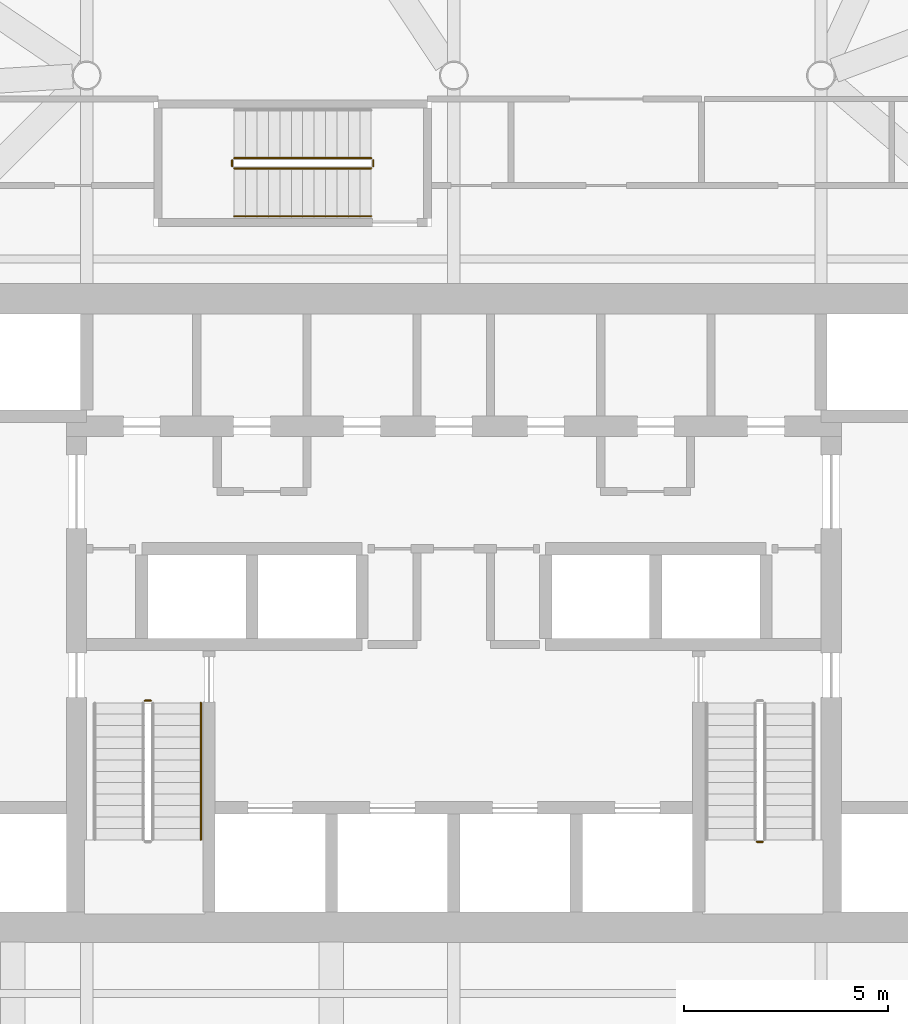
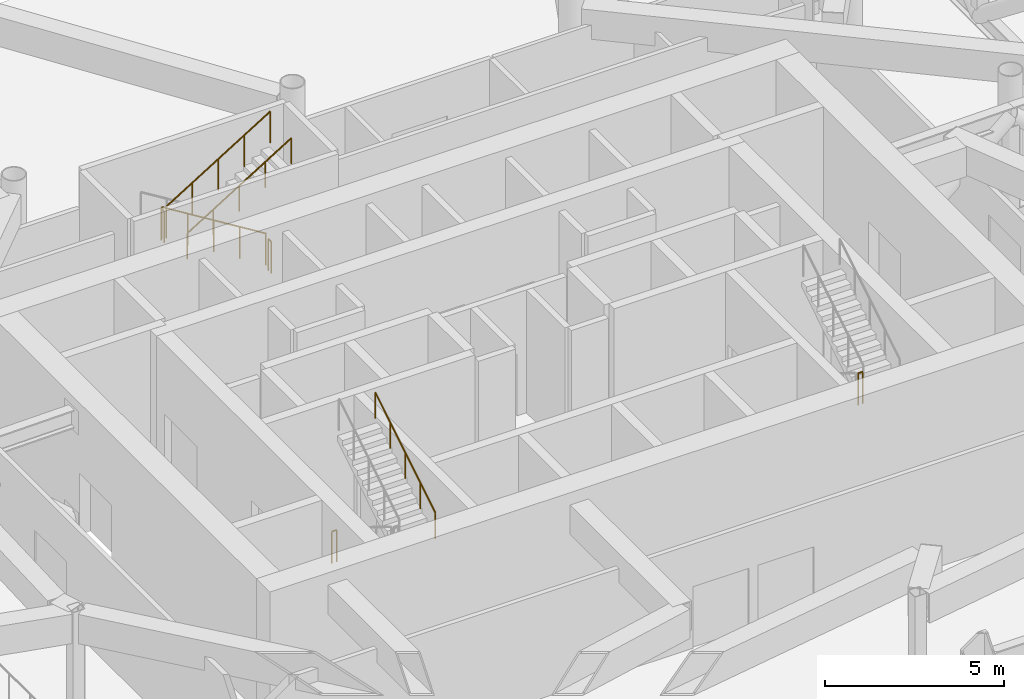
# One storey, part 19 of 21: 8 railings.
"""IFC4 building model written with IfcOpenShell, lengths in metres."""

from ifc_helpers import new_model, si_unit, direction, frame, origin, origin_2d, place, context, subcontext, project, spatial, circle, extrude, material, type_object, element, save


model = new_model("IFC4")

# Units and contexts
model_context = context("Model", 3, precision=1e-05, world=origin(), true_north=direction((0.0, 1.0)))
body_context = subcontext(model_context, "Body", "Model", "MODEL_VIEW")
ifc_project = project(units=[si_unit("LENGTHUNIT", "METRE"), si_unit("AREAUNIT", "SQUARE_METRE"), si_unit("VOLUMEUNIT", "CUBIC_METRE"), si_unit("PLANEANGLEUNIT", "RADIAN"), si_unit("MASSUNIT", "GRAM", prefix="KILO")], contexts=[model_context])

# Site, building, storey
site_placement = place(None, origin())
site = spatial("IfcSite", under=ifc_project, at=site_placement, CompositionType="ELEMENT")
building_placement = place(site_placement, origin())
building = spatial("IfcBuilding", under=site, at=building_placement, Name="Tskaro Facet Tower", CompositionType="ELEMENT")
storey_placement = place(building_placement, frame((0.0, 0.0, 167.699951171875)))
storey = spatial("IfcBuildingStorey", under=building, at=storey_placement, Name="L41", CompositionType="ELEMENT", Elevation=167.699951171875)

# Railings
ifc_material = material(Name="Stainless steel", Category="steel")
railing_type_1 = type_object("IfcRailingType", Name="RL-GUARD-1100", PredefinedType="GUARDRAIL", material=ifc_material)
for number, where, name in (
    (1, (-7.574951171875, -6.324951171875, 0.0), "L41 ST-1 stair guard 4"),
    (2, (7.425048828125, -9.784912109375, 2.25), "L41 ST-2 stair guard 2"),
):
    element("IfcRailing", number, at=place(storey_placement, frame(where)), inside=storey, type_object=railing_type_1, Name=name, PredefinedType="GUARDRAIL", context=body_context, shape_type="SweptSolid", body=[
        extrude(circle(Radius=0.02392578125, at=origin_2d()), frame((0.0, 0.0, 1.076171875), z_axis=(1.0, 0.0, 0.0), x_axis=(0.0, 1.0, 0.0)), (0.0, 0.0, 1.0), 0.14990234375),
        extrude(circle(Radius=0.02099609375, at=origin_2d()), origin(), (0.0, 0.0, 1.0), 1.052001953125),
        extrude(circle(Radius=0.02099609375, at=origin_2d()), frame((0.14990234375, 0.0, 0.0)), (0.0, 0.0, 1.0), 1.052001953125),
    ])
railing_1_placement = place(storey_placement, frame((-2.02490234375, 6.97509765625, 0.173095703125)))
element("IfcRailing", 3, at=railing_1_placement, inside=storey, type_object=railing_type_1, Name="L41 ST-3 stair guard 1", PredefinedType="GUARDRAIL", context=body_context, shape_type="SweptSolid", body=[
    extrude(circle(Radius=0.02392578125, at=origin_2d()), frame((0.0, 0.0, 1.076171875), z_axis=(-0.850623216509, 0.0, 0.525775754039), x_axis=(0.0, -1.0, 0.0)), (0.0, 0.0, 1.0), 3.9501953125),
    extrude(circle(Radius=0.02099609375, at=origin_2d()), origin(), (0.0, 0.0, 1.0), 1.052001953125),
    extrude(circle(Radius=0.02099609375, at=origin_2d()), frame((-0.840087890625, 0.0, 0.519287109375)), (0.0, 0.0, 1.0), 1.052001953125),
    extrude(circle(Radius=0.02099609375, at=origin_2d()), frame((-1.68017578125, 0.0, 1.03857421875)), (0.0, 0.0, 1.0), 1.052001953125),
    extrude(circle(Radius=0.02099609375, at=origin_2d()), frame((-2.52001953125, 0.0, 1.5576171875)), (0.0, 0.0, 1.0), 1.052001953125),
    extrude(circle(Radius=0.02099609375, at=origin_2d()), frame((-3.360107421875, 0.0, 2.076904296875)), (0.0, 0.0, 1.0), 1.052001953125),
])
railing_2_placement = place(storey_placement, frame((-5.43505859375, 6.925048828125, 2.25)))
element("IfcRailing", 4, at=railing_2_placement, inside=storey, type_object=railing_type_1, Name="L41 ST-3 stair guard 2", PredefinedType="GUARDRAIL", context=body_context, shape_type="SweptSolid", body=[
    extrude(circle(Radius=0.02392578125, at=origin_2d()), frame((0.0, 0.0, 1.076171875), z_axis=(0.0, -1.0, 0.0), x_axis=(1.0, 0.0, 0.0)), (0.0, 0.0, 1.0), 0.150146484375),
    extrude(circle(Radius=0.02099609375, at=origin_2d()), origin(), (0.0, 0.0, 1.0), 1.052001953125),
    extrude(circle(Radius=0.02099609375, at=origin_2d()), frame((0.0, -0.150146484375, 0.0)), (0.0, 0.0, 1.0), 1.052001953125),
])
railing_3_placement = place(storey_placement, frame((-5.385009765625, 6.72509765625, 2.423095703125)))
element("IfcRailing", 5, at=railing_3_placement, inside=storey, type_object=railing_type_1, Name="L41 ST-3 stair guard 3", PredefinedType="GUARDRAIL", context=body_context, shape_type="SweptSolid", body=[
    extrude(circle(Radius=0.02392578125, at=origin_2d()), frame((0.0, 0.0, 1.076171875), z_axis=(0.850623216509, 0.0, 0.525775754039), x_axis=(0.0, 1.0, 0.0)), (0.0, 0.0, 1.0), 3.9501953125),
    extrude(circle(Radius=0.02099609375, at=origin_2d()), origin(), (0.0, 0.0, 1.0), 1.052001953125),
    extrude(circle(Radius=0.02099609375, at=origin_2d()), frame((0.840087890625, 0.0, 0.519287109375)), (0.0, 0.0, 1.0), 1.052001953125),
    extrude(circle(Radius=0.02099609375, at=origin_2d()), frame((1.68017578125, 0.0, 1.03857421875)), (0.0, 0.0, 1.0), 1.052001953125),
    extrude(circle(Radius=0.02099609375, at=origin_2d()), frame((2.52001953125, 0.0, 1.5576171875)), (0.0, 0.0, 1.0), 1.052001953125),
    extrude(circle(Radius=0.02099609375, at=origin_2d()), frame((3.360107421875, 0.0, 2.076904296875)), (0.0, 0.0, 1.0), 1.052001953125),
])
railing_4_placement = place(storey_placement, frame((-1.97509765625, 6.925048828125, 0.0)))
element("IfcRailing", 6, at=railing_4_placement, inside=storey, type_object=railing_type_1, Name="L41 ST-3 stair guard 4", PredefinedType="GUARDRAIL", context=body_context, shape_type="SweptSolid", body=[
    extrude(circle(Radius=0.02392578125, at=origin_2d()), frame((0.0, 0.0, 1.076171875), z_axis=(0.0, -1.0, 0.0), x_axis=(1.0, 0.0, 0.0)), (0.0, 0.0, 1.0), 0.150146484375),
    extrude(circle(Radius=0.02099609375, at=origin_2d()), origin(), (0.0, 0.0, 1.0), 1.052001953125),
    extrude(circle(Radius=0.02099609375, at=origin_2d()), frame((0.0, -0.150146484375, 0.0)), (0.0, 0.0, 1.0), 1.052001953125),
])
railing_type_2 = type_object("IfcRailingType", Name="RL-HANDRAIL-900", PredefinedType="HANDRAIL", material=ifc_material)
railing_5_placement = place(storey_placement, frame((-6.199951171875, -9.735107421875, 2.423095703125)))
element("IfcRailing", 7, at=railing_5_placement, inside=storey, type_object=railing_type_2, Name="L41 ST-1 stair handrail 2", PredefinedType="HANDRAIL", context=body_context, shape_type="SweptSolid", body=[
    extrude(circle(Radius=0.02392578125, at=origin_2d()), frame((0.0, 0.0, 0.8759765625), z_axis=(0.0, 0.850623216509, 0.525775754039), x_axis=(-1.0, 0.0, 0.0)), (0.0, 0.0, 1.0), 3.9501953125),
    extrude(circle(Radius=0.02099609375, at=origin_2d()), origin(), (0.0, 0.0, 1.0), 0.851806640625),
    extrude(circle(Radius=0.02099609375, at=origin_2d()), frame((0.0, 0.840087890625, 0.519287109375)), (0.0, 0.0, 1.0), 0.851806640625),
    extrude(circle(Radius=0.02099609375, at=origin_2d()), frame((0.0, 1.68017578125, 1.03857421875)), (0.0, 0.0, 1.0), 0.851806640625),
    extrude(circle(Radius=0.02099609375, at=origin_2d()), frame((0.0, 2.52001953125, 1.5576171875)), (0.0, 0.0, 1.0), 0.851806640625),
    extrude(circle(Radius=0.02099609375, at=origin_2d()), frame((0.0, 3.360107421875, 2.076904296875)), (0.0, 0.0, 1.0), 0.851806640625),
])
railing_6_placement = place(storey_placement, frame((-5.385009765625, 5.550048828125, 2.423095703125)))
element("IfcRailing", 8, at=railing_6_placement, inside=storey, type_object=railing_type_2, Name="L41 ST-3 stair handrail 2", PredefinedType="HANDRAIL", context=body_context, shape_type="SweptSolid", body=[
    extrude(circle(Radius=0.02392578125, at=origin_2d()), frame((0.0, 0.0, 0.8759765625), z_axis=(0.850623216509, 0.0, 0.525775754039), x_axis=(0.0, 1.0, 0.0)), (0.0, 0.0, 1.0), 3.9501953125),
    extrude(circle(Radius=0.02099609375, at=origin_2d()), origin(), (0.0, 0.0, 1.0), 0.851806640625),
    extrude(circle(Radius=0.02099609375, at=origin_2d()), frame((0.840087890625, 0.0, 0.519287109375)), (0.0, 0.0, 1.0), 0.851806640625),
    extrude(circle(Radius=0.02099609375, at=origin_2d()), frame((1.68017578125, 0.0, 1.03857421875)), (0.0, 0.0, 1.0), 0.851806640625),
    extrude(circle(Radius=0.02099609375, at=origin_2d()), frame((2.52001953125, 0.0, 1.5576171875)), (0.0, 0.0, 1.0), 0.851806640625),
    extrude(circle(Radius=0.02099609375, at=origin_2d()), frame((3.360107421875, 0.0, 2.076904296875)), (0.0, 0.0, 1.0), 0.851806640625),
])

save(model, "model.ifc")
